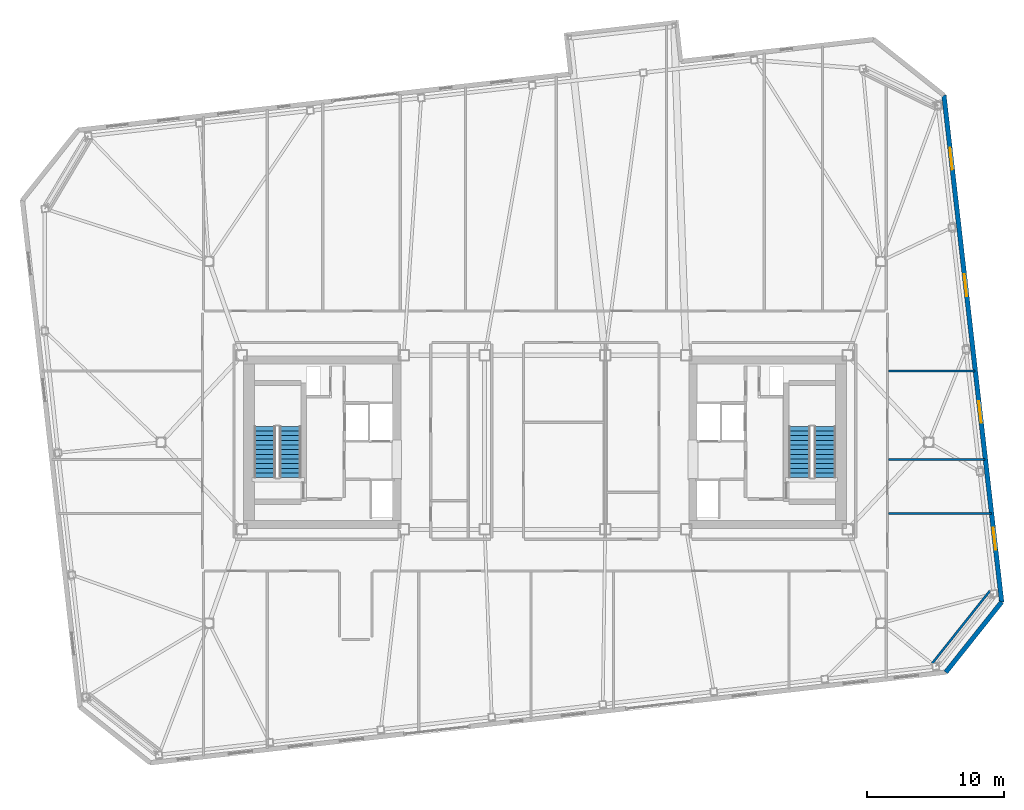
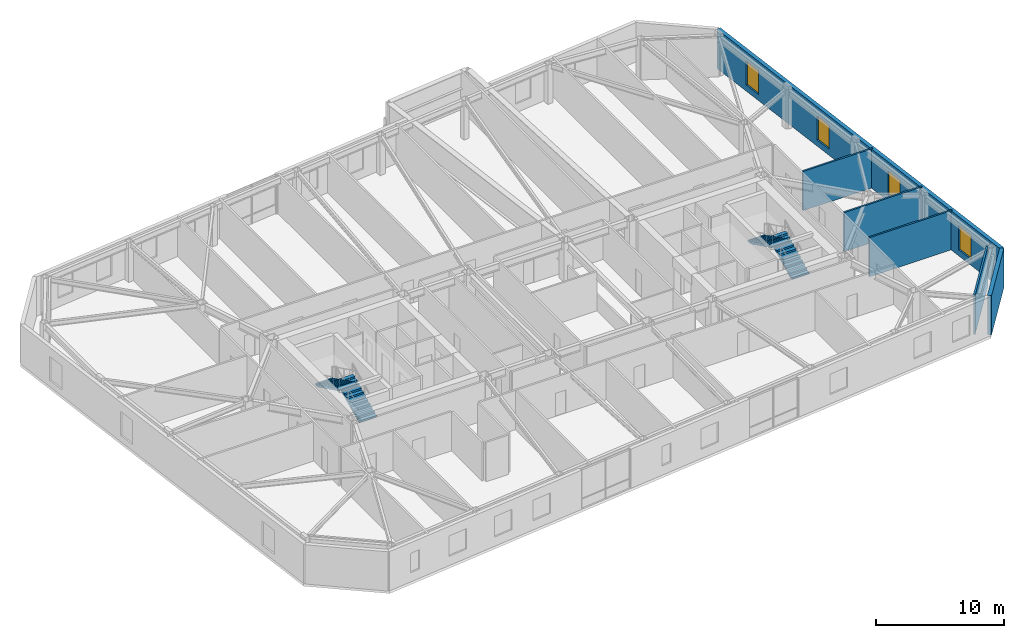
# One storey, part 16 of 19: 6 walls, 4 stair flights, 4 windows, 4 openings, 2 elements without a shape of their own.
"""IFC4 building model written with IfcOpenShell, lengths in metres."""

from ifc_helpers import new_model, si_unit, direction, frame, frame_2d, origin, place, context, subcontext, project, spatial, polyline, rectangle, outline, extrude, material, layer, layer_set, type_object, element, fill, aggregate, save


model = new_model("IFC4")

# Units and contexts
model_context = context("Model", 3, precision=1e-05, world=origin(), true_north=direction((0.0, 1.0)))
body_context = subcontext(model_context, "Body", "Model", "MODEL_VIEW")
ifc_project = project(units=[si_unit("LENGTHUNIT", "METRE"), si_unit("AREAUNIT", "SQUARE_METRE"), si_unit("VOLUMEUNIT", "CUBIC_METRE"), si_unit("PLANEANGLEUNIT", "RADIAN"), si_unit("MASSUNIT", "GRAM", prefix="KILO")], contexts=[model_context])

# Site, building, storey
site_placement = place(None, origin())
site = spatial("IfcSite", under=ifc_project, at=site_placement, CompositionType="ELEMENT")
building_placement = place(site_placement, origin())
building = spatial("IfcBuilding", under=site, at=building_placement, Name="Tavrogorsk Clinical Tower", CompositionType="ELEMENT")
storey_placement = place(building_placement, frame((0.0, 0.0, 243.0)))
storey = spatial("IfcBuildingStorey", under=building, at=storey_placement, Name="L56", CompositionType="ELEMENT", Elevation=243.0)

# Walls
ifc_material_1 = material(Name="Lightweight concrete blockwork B15", Category="masonry")
ifc_layer_1 = layer(ifc_material_1, 0.159912109375)
ifc_layer_set_1 = layer_set([ifc_layer_1], Name="Lightweight concrete blockwork B15")
wall_type_1 = type_object("IfcWallType", Name="PartitionWall_160", PredefinedType="PARTITIONING", material=ifc_layer_set_1)
wall_1_placement = place(storey_placement, frame((28.242431640625, -16.1337890625, 0.0), z_axis=(0.0, 0.0, 1.0), x_axis=(0.622521563328, 0.782602647064, 0.0)))
element("IfcWall", 1, at=wall_1_placement, inside=storey, type_object=wall_type_1, Name="L56 Corner Exoskeleton Brace Furring Wall 1", PredefinedType="PARTITIONING", context=body_context, shape_type="SweptSolid", body=[
    extrude(rectangle(XDim=6.788330078125, YDim=0.159912109375, at=frame_2d((3.39404296875, 0.0))), origin(), (0.0, 0.0, 1.0), 3.739990234375),
])
wall_2_placement = place(storey_placement, frame((25.06494140625, -5.199951171875, 0.0), z_axis=(0.0, 0.0, 1.0), x_axis=(1.0, 0.0, 0.0)))
element("IfcWall", 2, at=wall_2_placement, inside=storey, type_object=wall_type_1, Name="L56 E Wing Divider 1", PredefinedType="PARTITIONING", context=body_context, shape_type="SweptSolid", body=[
    extrude(rectangle(XDim=7.498046875, YDim=0.159912109375, at=frame_2d((3.7490234375, 0.0))), origin(), (0.0, 0.0, 1.0), 3.739990234375),
])
wall_3_placement = place(storey_placement, frame((25.06494140625, -1.25, 0.0), z_axis=(0.0, 0.0, 1.0), x_axis=(1.0, 0.0, 0.0)))
element("IfcWall", 3, at=wall_3_placement, inside=storey, type_object=wall_type_1, Name="L56 E Wing Divider 2", PredefinedType="PARTITIONING", context=body_context, shape_type="SweptSolid", body=[
    extrude(rectangle(XDim=7.048095703125, YDim=0.159912109375, at=frame_2d((3.52392578125, 0.0))), origin(), (0.0, 0.0, 1.0), 3.739990234375),
])
wall_4_placement = place(storey_placement, frame((25.06494140625, 5.199951171875, 0.0), z_axis=(0.0, 0.0, 1.0), x_axis=(1.0, 0.0, 0.0)))
element("IfcWall", 4, at=wall_4_placement, inside=storey, type_object=wall_type_1, Name="L56 E Wing Divider 3", PredefinedType="PARTITIONING", context=body_context, shape_type="SweptSolid", body=[
    extrude(rectangle(XDim=6.313232421875, YDim=0.159912109375, at=frame_2d((3.15673828125, 0.0))), origin(), (0.0, 0.0, 1.0), 3.739990234375),
])

# Wall, openings, windows
ifc_material_2 = material(Name="Precast concrete B45 with limestone cladding", Category="masonry")
ifc_layer_2 = layer(ifc_material_2, 0.340087890625)
ifc_layer_set_2 = layer_set([ifc_layer_2], Name="Precast concrete B45 with limestone cladding")
wall_type_2 = type_object("IfcWallType", Name="PrecastLimestoneWall_340", PredefinedType="STANDARD", material=ifc_layer_set_2)
wall_5_placement = place(storey_placement, frame((33.318115234375, -11.65087890625, 0.0), z_axis=(0.0, 0.0, 1.0), x_axis=(-0.11320360501, 0.9935718111, 0.0)))
wall_5 = element("IfcWall", 5, at=wall_5_placement, inside=storey, type_object=wall_type_2, Name="L56 E Pleated Limestone Wing Wall", PredefinedType="STANDARD", context=body_context, shape_type="SweptSolid", body=[
    extrude(rectangle(XDim=37.199951171875, YDim=0.340087890625, at=frame_2d((18.60009765625, 0.0))), origin(), (0.0, 0.0, 1.0), 3.739990234375),
])
opening_1_placement = place(wall_5_placement, frame((3.85009765625, 0.0, 0.580078125)))
opening_1 = element("IfcOpeningElement", 6, at=opening_1_placement, cuts=wall_5, Name="Opening WN-07", PredefinedType="OPENING", context=body_context, shape_type="SweptSolid", body=[
    extrude(rectangle(XDim=1.60009765625, YDim=2.300048828125, at=frame_2d((0.800048828125, 1.14990234375))), frame((0.0, 0.179931640625, 0.0), z_axis=(0.0, -1.0, 0.0), x_axis=(1.0, 0.0, 0.0)), (0.0, 0.0, 1.0), 0.360107421875),
])
opening_2_placement = place(wall_5_placement, frame((13.14990234375, 0.0, 0.580078125)))
opening_2 = element("IfcOpeningElement", 7, at=opening_2_placement, cuts=wall_5, Name="Opening WN-07", PredefinedType="OPENING", context=body_context, shape_type="SweptSolid", body=[
    extrude(rectangle(XDim=1.60009765625, YDim=2.300048828125, at=frame_2d((0.800048828125, 1.14990234375))), frame((0.0, 0.179931640625, 0.0), z_axis=(0.0, -1.0, 0.0), x_axis=(1.0, 0.0, 0.0)), (0.0, 0.0, 1.0), 0.360107421875),
])
opening_3_placement = place(wall_5_placement, frame((22.449951171875, 0.0, 0.580078125)))
opening_3 = element("IfcOpeningElement", 8, at=opening_3_placement, cuts=wall_5, Name="Opening WN-07", PredefinedType="OPENING", context=body_context, shape_type="SweptSolid", body=[
    extrude(rectangle(XDim=1.60009765625, YDim=2.300048828125, at=frame_2d((0.800048828125, 1.14990234375))), frame((0.0, 0.179931640625, 0.0), z_axis=(0.0, -1.0, 0.0), x_axis=(1.0, 0.0, 0.0)), (0.0, 0.0, 1.0), 0.360107421875),
])
opening_4_placement = place(wall_5_placement, frame((31.75, 0.0, 0.580078125)))
opening_4 = element("IfcOpeningElement", 9, at=opening_4_placement, cuts=wall_5, Name="Opening WN-07", PredefinedType="OPENING", context=body_context, shape_type="SweptSolid", body=[
    extrude(rectangle(XDim=1.60009765625, YDim=2.300048828125, at=frame_2d((0.800048828125, 1.14990234375))), frame((0.0, 0.179931640625, 0.0), z_axis=(0.0, -1.0, 0.0), x_axis=(1.0, 0.0, 0.0)), (0.0, 0.0, 1.0), 0.360107421875),
])
ifc_material_3 = material(Name="Thermally broken aluminium frame and triple IGU", Category="aluminium")
window_type = type_object("IfcWindowType", Name="PleatSlotWin_1600x2300", PartitioningType="SINGLE_PANEL", PredefinedType="WINDOW", material=ifc_material_3)
window_1_placement = place(opening_1_placement, origin())
window_1 = element("IfcWindow", 10, at=window_1_placement, inside=storey, type_object=window_type, Name="L56 E Pleat Slot Window 1", OverallHeight=2.300048828125, OverallWidth=1.60009765625, PartitioningType="SINGLE_PANEL", PredefinedType="WINDOW", context=body_context, shape_type="SweptSolid", body=[
    extrude(rectangle(XDim=1.60009765625, YDim=2.300048828125, at=frame_2d((0.800048828125, 1.14990234375))), frame((0.0, 0.030029296875, 0.0), z_axis=(0.0, -1.0, 0.0), x_axis=(1.0, 0.0, 0.0)), (0.0, 0.0, 1.0), 0.06005859375),
])
fill(opening_1, window_1)
window_2_placement = place(opening_2_placement, origin())
window_2 = element("IfcWindow", 11, at=window_2_placement, inside=storey, type_object=window_type, Name="L56 E Pleat Slot Window 2", OverallHeight=2.300048828125, OverallWidth=1.60009765625, PartitioningType="SINGLE_PANEL", PredefinedType="WINDOW", context=body_context, shape_type="SweptSolid", body=[
    extrude(rectangle(XDim=1.60009765625, YDim=2.300048828125, at=frame_2d((0.800048828125, 1.14990234375))), frame((0.0, 0.030029296875, 0.0), z_axis=(0.0, -1.0, 0.0), x_axis=(1.0, 0.0, 0.0)), (0.0, 0.0, 1.0), 0.06005859375),
])
fill(opening_2, window_2)
window_3_placement = place(opening_3_placement, origin())
window_3 = element("IfcWindow", 12, at=window_3_placement, inside=storey, type_object=window_type, Name="L56 E Pleat Slot Window 3", OverallHeight=2.300048828125, OverallWidth=1.60009765625, PartitioningType="SINGLE_PANEL", PredefinedType="WINDOW", context=body_context, shape_type="SweptSolid", body=[
    extrude(rectangle(XDim=1.60009765625, YDim=2.300048828125, at=frame_2d((0.800048828125, 1.14990234375))), frame((0.0, 0.030029296875, 0.0), z_axis=(0.0, -1.0, 0.0), x_axis=(1.0, 0.0, 0.0)), (0.0, 0.0, 1.0), 0.06005859375),
])
fill(opening_3, window_3)
window_4_placement = place(opening_4_placement, origin())
window_4 = element("IfcWindow", 13, at=window_4_placement, inside=storey, type_object=window_type, Name="L56 E Pleat Slot Window 4", OverallHeight=2.300048828125, OverallWidth=1.60009765625, PartitioningType="SINGLE_PANEL", PredefinedType="WINDOW", context=body_context, shape_type="SweptSolid", body=[
    extrude(rectangle(XDim=1.60009765625, YDim=2.300048828125, at=frame_2d((0.800048828125, 1.14990234375))), frame((0.0, 0.030029296875, 0.0), z_axis=(0.0, -1.0, 0.0), x_axis=(1.0, 0.0, 0.0)), (0.0, 0.0, 1.0), 0.06005859375),
])
fill(opening_4, window_4)

# Wall
wall_6_placement = place(storey_placement, frame((29.241943359375, -16.775146484375, 0.0), z_axis=(0.0, 0.0, 1.0), x_axis=(0.62252823689, 0.78259733853, 0.0)))
element("IfcWall", 14, at=wall_6_placement, inside=storey, type_object=wall_type_2, Name="L56 Chamfered Corner Wall 1", PredefinedType="STANDARD", context=body_context, shape_type="SweptSolid", body=[
    extrude(rectangle(XDim=6.5478515625, YDim=0.340087890625, at=frame_2d((3.27392578125, 0.0))), origin(), (0.0, 0.0, 1.0), 3.739990234375),
])

# Stair, stair flights
ifc_material_4 = material(Name="Concrete B60", Category="concrete")
stair_type = type_object("IfcStairType", Name="CoreStairAssembly", PredefinedType="HALF_TURN_STAIR", material=ifc_material_4)
stair_1_placement = place(storey_placement, origin())
stair_1 = element("IfcStair", 15, at=stair_1_placement, inside=storey, type_object=stair_type, Name="L56 ST-W", PredefinedType="HALF_TURN_STAIR")
ifc_material_5 = material(Name="Concrete B60", Category="concrete")
stair_flight_type = type_object("IfcStairFlightType", Name="CoreStairFlight", PredefinedType="STRAIGHT", material=ifc_material_5)
stair_flight_1_placement = place(storey_placement, frame((-18.574951171875, -2.574951171875, 0.0), z_axis=(0.0, 0.0, 1.0), x_axis=(0.0, 1.0, 0.0)))
stair_flight_1 = element("IfcStairFlight", 16, at=stair_flight_1_placement, type_object=stair_flight_type, Name="ST-W flight 1", NumberOfRisers=12, NumberOfTreads=11, PredefinedType="STRAIGHT", RiserHeight=0.166666667, TreadLength=0.34, context=body_context, shape_type="SweptSolid", body=[
    extrude(outline(polyline([(0.0, 0.0), (0.0, 0.166748046875), (0.340087890625, 0.166748046875), (0.340087890625, 0.333251953125), (0.679931640625, 0.333251953125), (0.679931640625, 0.5), (1.02001953125, 0.5), (1.02001953125, 0.666748046875), (1.360107421875, 0.666748046875), (1.360107421875, 0.833251953125), (1.699951171875, 0.833251953125), (1.699951171875, 1.0), (2.0400390625, 1.0), (2.0400390625, 1.166748046875), (2.3798828125, 1.166748046875), (2.3798828125, 1.333251953125), (2.719970703125, 1.333251953125), (2.719970703125, 1.5), (3.06005859375, 1.5), (3.06005859375, 1.666748046875), (3.39990234375, 1.666748046875), (3.39990234375, 1.833251953125), (3.739990234375, 1.833251953125), (3.739990234375, 2.0), (3.739990234375, 1.66650390625), (0.340576171875, 0.0), (0.0, 0.0)])), frame((0.0, 0.77490234375, 0.0), z_axis=(0.0, -1.0, 0.0), x_axis=(1.0, 0.0, 0.0)), (0.0, 0.0, 1.0), 1.550048828125),
])
stair_flight_2_placement = place(storey_placement, frame((-20.425048828125, 1.1650390625, 2.0), z_axis=(0.0, 0.0, 1.0), x_axis=(0.0, -1.0, 0.0)))
stair_flight_2 = element("IfcStairFlight", 17, at=stair_flight_2_placement, type_object=stair_flight_type, Name="ST-W flight 2", NumberOfRisers=12, NumberOfTreads=11, PredefinedType="STRAIGHT", RiserHeight=0.166666667, TreadLength=0.34, context=body_context, shape_type="SweptSolid", body=[
    extrude(outline(polyline([(0.0, 0.0), (0.0, 0.166748046875), (0.340087890625, 0.166748046875), (0.340087890625, 0.333251953125), (0.679931640625, 0.333251953125), (0.679931640625, 0.5), (1.02001953125, 0.5), (1.02001953125, 0.666748046875), (1.360107421875, 0.666748046875), (1.360107421875, 0.833251953125), (1.699951171875, 0.833251953125), (1.699951171875, 1.0), (2.0400390625, 1.0), (2.0400390625, 1.166748046875), (2.3798828125, 1.166748046875), (2.3798828125, 1.333251953125), (2.719970703125, 1.333251953125), (2.719970703125, 1.5), (3.06005859375, 1.5), (3.06005859375, 1.666748046875), (3.39990234375, 1.666748046875), (3.39990234375, 1.833251953125), (3.739990234375, 1.833251953125), (3.739990234375, 2.0), (3.739990234375, 1.66650390625), (0.340576171875, 0.0), (0.0, 0.0)])), frame((0.0, 0.77490234375, 0.0), z_axis=(0.0, -1.0, 0.0), x_axis=(1.0, 0.0, 0.0)), (0.0, 0.0, 1.0), 1.550048828125),
])
aggregate(stair_1, [stair_flight_1, stair_flight_2])

stair_2_placement = place(storey_placement, origin())
stair_2 = element("IfcStair", 18, at=stair_2_placement, inside=storey, type_object=stair_type, Name="L56 ST-E", PredefinedType="HALF_TURN_STAIR")
stair_flight_3_placement = place(storey_placement, frame((20.425048828125, -2.574951171875, 0.0), z_axis=(0.0, 0.0, 1.0), x_axis=(0.0, 1.0, 0.0)))
stair_flight_3 = element("IfcStairFlight", 19, at=stair_flight_3_placement, type_object=stair_flight_type, Name="ST-E flight 1", NumberOfRisers=12, NumberOfTreads=11, PredefinedType="STRAIGHT", RiserHeight=0.166666667, TreadLength=0.34, context=body_context, shape_type="SweptSolid", body=[
    extrude(outline(polyline([(0.0, 0.0), (0.0, 0.166748046875), (0.340087890625, 0.166748046875), (0.340087890625, 0.333251953125), (0.679931640625, 0.333251953125), (0.679931640625, 0.5), (1.02001953125, 0.5), (1.02001953125, 0.666748046875), (1.360107421875, 0.666748046875), (1.360107421875, 0.833251953125), (1.699951171875, 0.833251953125), (1.699951171875, 1.0), (2.0400390625, 1.0), (2.0400390625, 1.166748046875), (2.3798828125, 1.166748046875), (2.3798828125, 1.333251953125), (2.719970703125, 1.333251953125), (2.719970703125, 1.5), (3.06005859375, 1.5), (3.06005859375, 1.666748046875), (3.39990234375, 1.666748046875), (3.39990234375, 1.833251953125), (3.739990234375, 1.833251953125), (3.739990234375, 2.0), (3.739990234375, 1.66650390625), (0.340576171875, 0.0), (0.0, 0.0)])), frame((0.0, 0.77490234375, 0.0), z_axis=(0.0, -1.0, 0.0), x_axis=(1.0, 0.0, 0.0)), (0.0, 0.0, 1.0), 1.550048828125),
])
stair_flight_4_placement = place(storey_placement, frame((18.574951171875, 1.1650390625, 2.0), z_axis=(0.0, 0.0, 1.0), x_axis=(0.0, -1.0, 0.0)))
stair_flight_4 = element("IfcStairFlight", 20, at=stair_flight_4_placement, type_object=stair_flight_type, Name="ST-E flight 2", NumberOfRisers=12, NumberOfTreads=11, PredefinedType="STRAIGHT", RiserHeight=0.166666667, TreadLength=0.34, context=body_context, shape_type="SweptSolid", body=[
    extrude(outline(polyline([(0.0, 0.0), (0.0, 0.166748046875), (0.340087890625, 0.166748046875), (0.340087890625, 0.333251953125), (0.679931640625, 0.333251953125), (0.679931640625, 0.5), (1.02001953125, 0.5), (1.02001953125, 0.666748046875), (1.360107421875, 0.666748046875), (1.360107421875, 0.833251953125), (1.699951171875, 0.833251953125), (1.699951171875, 1.0), (2.0400390625, 1.0), (2.0400390625, 1.166748046875), (2.3798828125, 1.166748046875), (2.3798828125, 1.333251953125), (2.719970703125, 1.333251953125), (2.719970703125, 1.5), (3.06005859375, 1.5), (3.06005859375, 1.666748046875), (3.39990234375, 1.666748046875), (3.39990234375, 1.833251953125), (3.739990234375, 1.833251953125), (3.739990234375, 2.0), (3.739990234375, 1.66650390625), (0.340576171875, 0.0), (0.0, 0.0)])), frame((0.0, 0.77490234375, 0.0), z_axis=(0.0, -1.0, 0.0), x_axis=(1.0, 0.0, 0.0)), (0.0, 0.0, 1.0), 1.550048828125),
])
aggregate(stair_2, [stair_flight_3, stair_flight_4])

save(model, "model.ifc")
